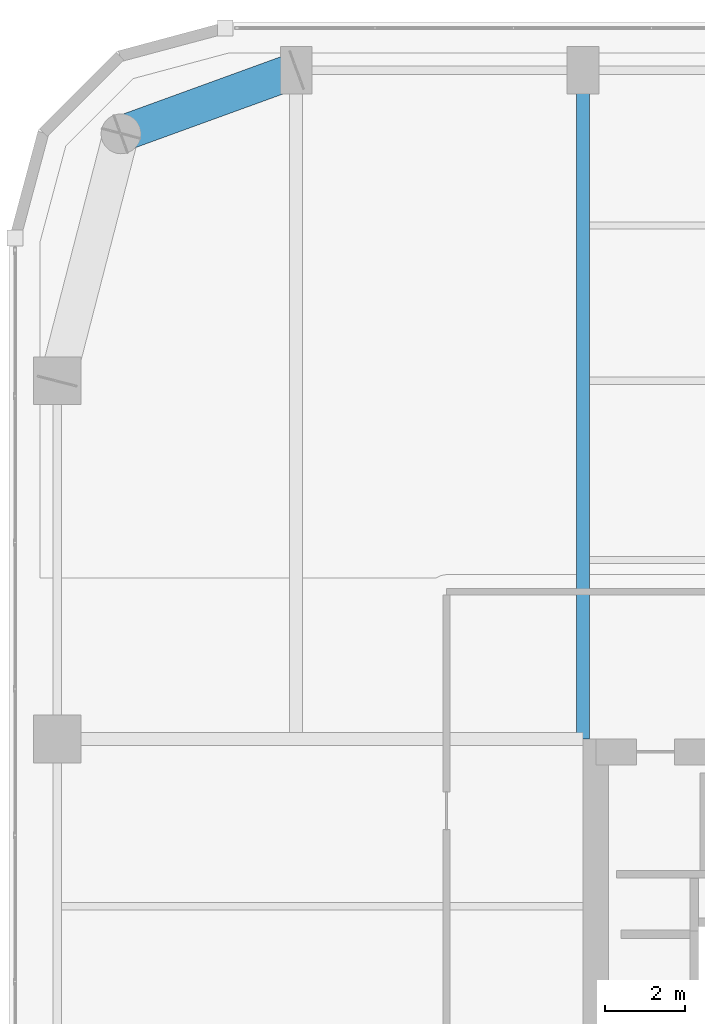
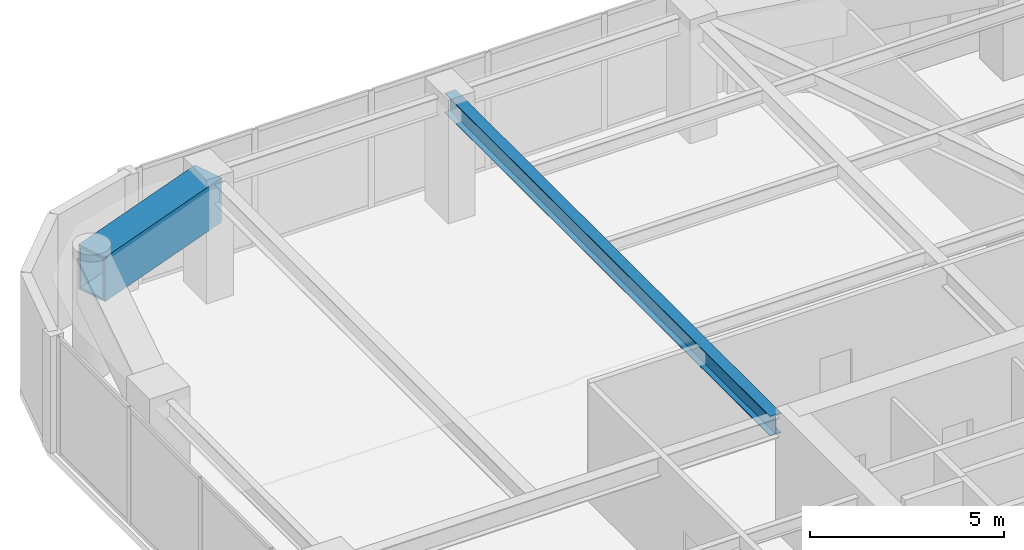
# One storey, part 16 of 30: 2 beams.
"""IFC4 building model written with IfcOpenShell, lengths in metres."""

import ifcopenshell
import ifcopenshell.guid

model = None  # the IFC model being written
_history = None  # IfcOwnerHistory: only IFC2X3 demands one
_inside = {}  # id of a spatial element -> (the spatial element, [elements in it])
_under = {}  # id of a project, library or spatial element -> (it, [spatial elements below it])
_declared = {}  # id of a project -> (the project, [libraries it declares])
_typed = {}  # id of a type object -> (the type object, [elements of that type])
_made_of = {}  # id of a material, layer set ... -> (it, [elements and type objects made of it])


def new_model(schema):
    """Start an empty IFC model of exactly this schema.

    Asked for "IFC4X3", IfcOpenShell would pick the latest addendum, in which some entities
    have other attributes; the version numbers below select the first issue.
    IFC2X3 requires an IfcOwnerHistory on every rooted entity: one is made here for all.
    """
    global model, _history
    if schema == "IFC4X3":
        model = ifcopenshell.file(schema_version=(4, 3, 0, 0))
    else:
        model = ifcopenshell.file(schema=schema)
    _inside.clear()
    _under.clear()
    _declared.clear()
    _typed.clear()
    _made_of.clear()
    _history = None
    if model.schema == "IFC2X3":
        org = make("IfcOrganization", Name="unknown")
        user = make(
            "IfcPersonAndOrganization",
            ThePerson=make("IfcPerson", FamilyName="unknown"),
            TheOrganization=org,
        )
        app = make(
            "IfcApplication",
            ApplicationDeveloper=org,
            Version="unknown",
            ApplicationFullName="unknown",
            ApplicationIdentifier="unknown",
        )
        _history = make(
            "IfcOwnerHistory",
            OwningUser=user,
            OwningApplication=app,
            ChangeAction="ADDED",
            CreationDate=0,
        )
    return model


def make(cls, **values):
    """One entity of the class cls with the attributes given. An attribute that is None is left unset."""
    return model.create_entity(
        cls, **{name: value for name, value in values.items() if value is not None}
    )


def rooted(cls, **values):
    """An entity with a GlobalId (a new one), such as an element, a storey or a relation."""
    return make(cls, GlobalId=ifcopenshell.guid.new(), OwnerHistory=_history, **values)


def si_unit(unit_type, name, prefix=None):
    """IfcSIUnit, for example si_unit("LENGTHUNIT", "METRE", prefix="MILLI")."""
    return make("IfcSIUnit", UnitType=unit_type, Prefix=prefix, Name=name)


def assignment(units):
    """IfcUnitAssignment: the units of a project."""
    return None if units is None else make("IfcUnitAssignment", Units=units)


def point(xyz):
    """IfcCartesianPoint."""
    return None if xyz is None else make("IfcCartesianPoint", Coordinates=xyz)


def direction(xyz):
    """IfcDirection."""
    return None if xyz is None else make("IfcDirection", DirectionRatios=xyz)


def frame(location, z_axis=None, x_axis=None):
    """IfcAxis2Placement3D, a coordinate frame: its origin and axes. An axis left out is left unset."""
    return make(
        "IfcAxis2Placement3D",
        Location=point(location),
        Axis=direction(z_axis),
        RefDirection=direction(x_axis),
    )


def frame_2d(location, x_axis=None):
    """IfcAxis2Placement2D, a coordinate frame in the plane: its origin and x axis."""
    return make(
        "IfcAxis2Placement2D", Location=point(location), RefDirection=direction(x_axis)
    )


def origin():
    """The frame at (0, 0, 0) with its axes left unset."""
    return frame((0.0, 0.0, 0.0))


def origin_2d():
    """The frame at (0, 0) in the plane with its x axis left unset."""
    return frame_2d((0.0, 0.0))


def place(relative_to, where):
    """IfcLocalPlacement: puts the frame where relative to a parent placement (None: the world)."""
    return make(
        "IfcLocalPlacement", PlacementRelTo=relative_to, RelativePlacement=where
    )


def context(
    kind, dimensions, precision=None, world=None, true_north=None, identifier=None
):
    """IfcGeometricRepresentationContext, for example the 3D "Model" context."""
    return make(
        "IfcGeometricRepresentationContext",
        ContextIdentifier=identifier,
        ContextType=kind,
        CoordinateSpaceDimension=dimensions,
        Precision=precision,
        WorldCoordinateSystem=world,
        TrueNorth=true_north,
    )


def subcontext(parent, identifier, kind, view, scale=None):
    """IfcGeometricRepresentationSubContext, for example "Body" below "Model"."""
    return make(
        "IfcGeometricRepresentationSubContext",
        ContextIdentifier=identifier,
        ContextType=kind,
        ParentContext=parent,
        TargetScale=scale,
        TargetView=view,
    )


def project(units=None, contexts=None):
    """IfcProject with its units and contexts."""
    return rooted(
        "IfcProject",
        Name="project",
        RepresentationContexts=contexts,
        UnitsInContext=assignment(units),
    )


def spatial(cls, under=None, at=None, **own):
    """A site, building, storey or space (cls), placed at a placement, below another one or the project."""
    s = rooted(cls, ObjectPlacement=at, **own)
    if under is not None:
        _under.setdefault(under.id(), (under, []))[1].append(s)
    return s


def profile(cls, at=None, kind="AREA", **sizes):
    """A parametric profile (cls). Its sizes go by their IFC names, for example OverallWidth=200.0."""
    return make(cls, ProfileType=kind, Position=at, **sizes)


def hollow_rectangle(**sizes):
    """IfcRectangleHollowProfileDef."""
    return profile("IfcRectangleHollowProfileDef", **sizes)


def i_section(**sizes):
    """IfcIShapeProfileDef."""
    return profile("IfcIShapeProfileDef", **sizes)


def extrude(swept, where, along, depth):
    """IfcExtrudedAreaSolid: the profile swept, set in the frame where, extruded along a direction by depth."""
    return make(
        "IfcExtrudedAreaSolid",
        SweptArea=swept,
        Position=where,
        ExtrudedDirection=direction(along),
        Depth=depth,
    )


def shape(context_of_items, identifier, shape_type, items):
    """IfcShapeRepresentation: the items that make up one representation, for example the "Body"."""
    return make(
        "IfcShapeRepresentation",
        ContextOfItems=context_of_items,
        RepresentationIdentifier=identifier,
        RepresentationType=shape_type,
        Items=items,
    )


def material(Name=None, Category=None):
    """IfcMaterial."""
    return make("IfcMaterial", Name=Name, Category=Category)


def material_profile(
    of_material, cross_section, Name=None, Category=None, Priority=None
):
    """IfcMaterialProfile: a cross section and its material."""
    return make(
        "IfcMaterialProfile",
        Name=Name,
        Material=of_material,
        Profile=cross_section,
        Priority=Priority,
        Category=Category,
    )


def profile_set(profiles, Name=None, composite=None):
    """IfcMaterialProfileSet."""
    return make(
        "IfcMaterialProfileSet",
        Name=Name,
        MaterialProfiles=profiles,
        CompositeProfile=composite,
    )


def made_of(thing, what):
    """Note that an element or type object is made of a material, layer set ...; save() writes the relation."""
    if what is not None:
        _made_of.setdefault(what.id(), (what, []))[1].append(thing)
    return thing


def type_object(cls, material=None, **own):
    """A type object (cls), such as IfcWallType, which elements share."""
    return made_of(rooted(cls, **own), material)


def element(
    cls,
    number,
    at=None,
    inside=None,
    cuts=None,
    type_object=None,
    material=None,
    context=None,
    identifier="Body",
    shape_type=None,
    held_by="IfcProductDefinitionShape",
    body=None,
    shapes=None,
    **own,
):
    """One element of the class cls, such as IfcWall. Its Tag is "e" and its number.

    at: its placement. inside: the storey or other place that contains it. cuts: it is an
    opening in that element (IfcRelVoidsElement). A single representation is given by context,
    identifier, shape_type and body (its items); several are given by shapes. held_by: the class
    of the entity that holds the representations. save() writes the other relations.
    """
    e = rooted(cls, Tag="e%d" % number, ObjectPlacement=at, **own)
    if body is not None:
        shapes = [shape(context, identifier, shape_type, body)]
    if shapes is not None:
        e.Representation = make(held_by, Representations=shapes)
    if inside is not None:
        _inside.setdefault(inside.id(), (inside, []))[1].append(e)
    if cuts is not None:
        rooted(
            "IfcRelVoidsElement", RelatingBuildingElement=cuts, RelatedOpeningElement=e
        )
    if type_object is not None:
        _typed.setdefault(type_object.id(), (type_object, []))[1].append(e)
    return made_of(e, material)


def aggregate(whole, parts):
    """IfcRelAggregates: a whole, such as a stair, and the parts it consists of."""
    return rooted("IfcRelAggregates", RelatingObject=whole, RelatedObjects=parts)


def save(model, path):
    """Write the relations noted so far, then the file.

    IfcRelAggregates (storeys below a building ...), IfcRelContainedInSpatialStructure (elements
    in a storey), IfcRelDefinesByType, IfcRelAssociatesMaterial and IfcRelDeclares: one each for
    every whole, place, type object, material and project.
    """
    for whole, parts in _under.values():
        aggregate(whole, parts)
    for where, things in _inside.values():
        rooted(
            "IfcRelContainedInSpatialStructure",
            RelatedElements=things,
            RelatingStructure=where,
        )
    for kind, things in _typed.values():
        rooted("IfcRelDefinesByType", RelatedObjects=things, RelatingType=kind)
    for what, things in _made_of.values():
        rooted("IfcRelAssociatesMaterial", RelatedObjects=things, RelatingMaterial=what)
    for by, libraries in _declared.values():
        rooted("IfcRelDeclares", RelatingContext=by, RelatedDefinitions=libraries)
    model.write(path)


model = new_model("IFC4")

# Units and contexts
model_context = context("Model", 3, precision=1e-05, world=origin(), true_north=direction((0.0, 1.0)))
body_context = subcontext(model_context, "Body", "Model", "MODEL_VIEW")
ifc_project = project(units=[si_unit("LENGTHUNIT", "METRE"), si_unit("AREAUNIT", "SQUARE_METRE"), si_unit("VOLUMEUNIT", "CUBIC_METRE"), si_unit("PLANEANGLEUNIT", "RADIAN"), si_unit("MASSUNIT", "GRAM", prefix="KILO")], contexts=[model_context])

# Site, building, storey
site_placement = place(None, origin())
site = spatial("IfcSite", under=ifc_project, at=site_placement, CompositionType="ELEMENT")
building_placement = place(site_placement, origin())
building = spatial("IfcBuilding", under=site, at=building_placement, Name="Kiyonajd Concourse Tower", CompositionType="ELEMENT")
storey_placement = place(building_placement, frame((0.0, 0.0, 201.89990234375)))
storey = spatial("IfcBuildingStorey", under=building, at=storey_placement, Name="L51", CompositionType="ELEMENT", Elevation=201.89990234375)

# Beams
ifc_material_1 = material(Name="Steel ASTM A992 Grade 50", Category="steel")
ifc_material_profile_1 = material_profile(ifc_material_1, i_section(OverallWidth=0.326904296875, OverallDepth=0.6220703125, WebThickness=0.015380859375, FlangeThickness=0.0244140625, at=origin_2d()), Name="W610X195")
ifc_profile_set_1 = profile_set([ifc_material_profile_1], Name="Steel ASTM A992 Grade 50")
beam_type_1 = type_object("IfcBeamType", Name="BM-TWR-610A", PredefinedType="BEAM", material=ifc_profile_set_1)
beam_1_placement = place(storey_placement, frame((32.39990234375, 44.39990234375, 3.369140625), z_axis=(0.0, 1.0, 0.0), x_axis=(-1.0, 0.0, 0.0)))
element("IfcBeam", 1, at=beam_1_placement, inside=storey, type_object=beam_type_1, Name="L51 North Lease Girder", PredefinedType="BEAM", context=body_context, shape_type="SweptSolid", body=[
    extrude(i_section(OverallWidth=0.326904296875, OverallDepth=0.6220703125, WebThickness=0.015380859375, FlangeThickness=0.0244140625, at=origin_2d()), origin(), (0.0, 0.0, 1.0), 16.800048828125),
])
ifc_material_2 = material(Name="Steel ASTM A572 Grade 50", Category="steel")
ifc_material_profile_2 = material_profile(ifc_material_2, hollow_rectangle(XDim=0.89990234375, YDim=1.39990234375, WallThickness=0.070068359375, at=origin_2d()), Name="BOX-1400x900x70")
ifc_profile_set_2 = profile_set([ifc_material_profile_2], Name="Steel ASTM A572 Grade 50")
beam_type_2 = type_object("IfcBeamType", Name="BM-XFER-1400", PredefinedType="BEAM", material=ifc_profile_set_2)
beam_2_placement = place(storey_placement, frame((25.199951171875, 61.199951171875, 2.97998046875), z_axis=(-0.939801036019, -0.341722127901, 0.0), x_axis=(0.341722127901, -0.939801036019, 0.0)))
element("IfcBeam", 2, at=beam_2_placement, inside=storey, type_object=beam_type_2, Name="L51 Perimeter Bundled Tube Spandrel", PredefinedType="BEAM", context=body_context, shape_type="SweptSolid", body=[
    extrude(hollow_rectangle(XDim=0.89990234375, YDim=1.39990234375, WallThickness=0.070068359375, at=origin_2d()), origin(), (0.0, 0.0, 1.0), 4.681640625),
])

save(model, "model.ifc")
